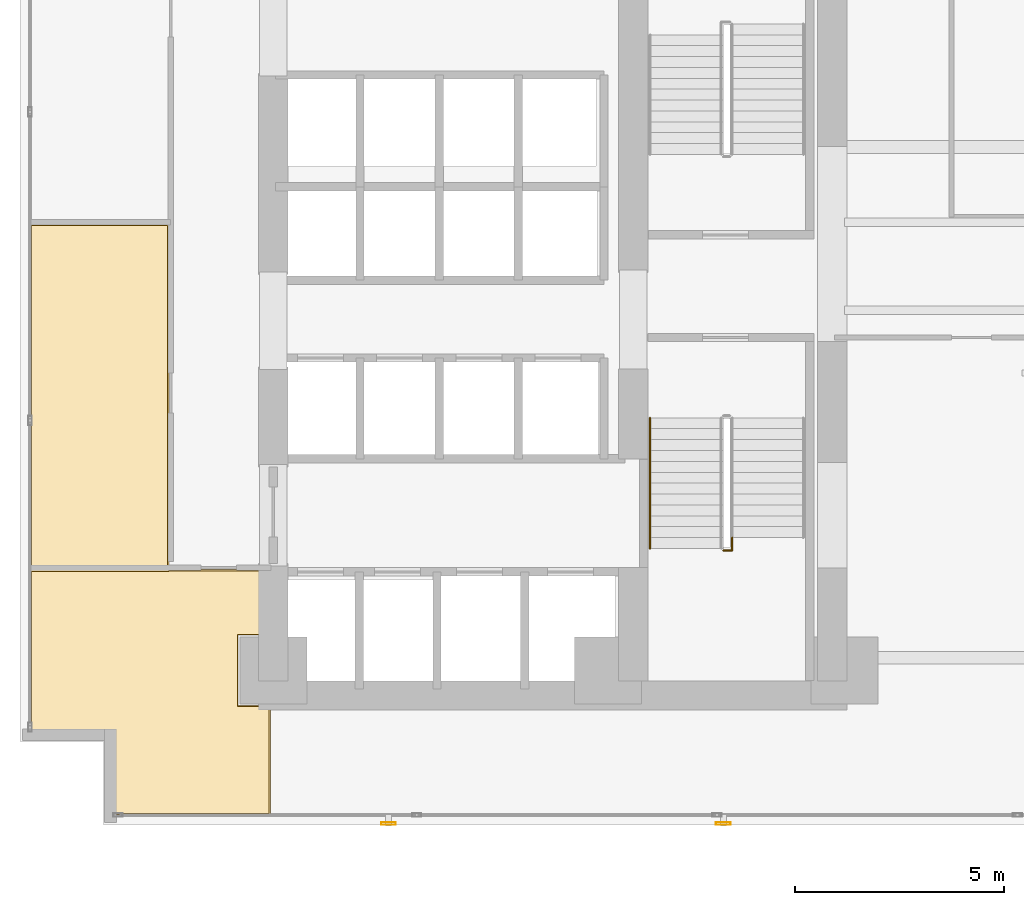
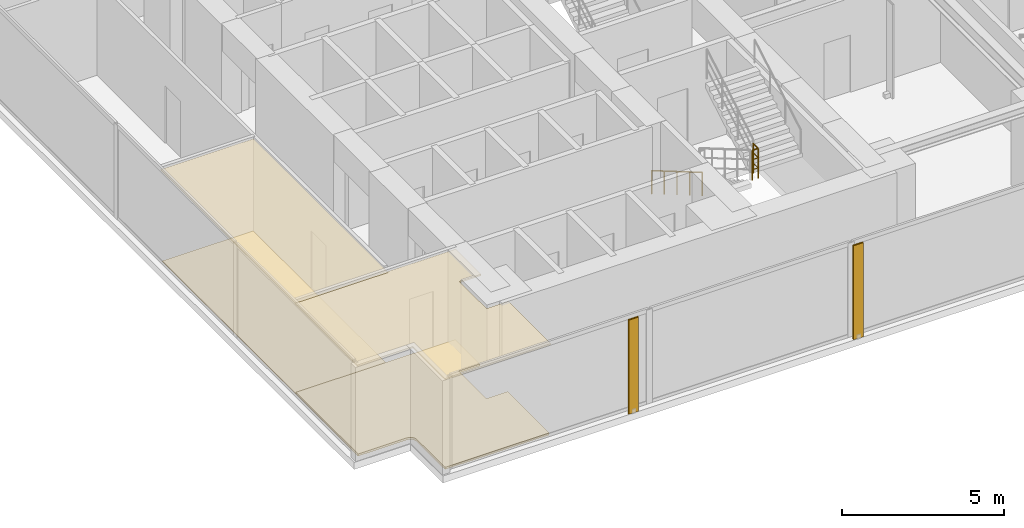
# One storey, part 26 of 30: 4 coverings, 2 railings, 2 shading devices.
"""IFC4 building model written with IfcOpenShell, lengths in metres."""

from ifc_helpers import new_model, si_unit, direction, frame, origin, origin_2d, place, context, subcontext, project, spatial, polyline, hollow_rectangle, circle, outline, extrude, material, layer, layer_set, material_profile, profile_set, type_object, element, save


model = new_model("IFC4")

# Units and contexts
model_context = context("Model", 3, precision=1e-05, world=origin(), true_north=direction((0.0, 1.0)))
body_context = subcontext(model_context, "Body", "Model", "MODEL_VIEW")
ifc_project = project(units=[si_unit("LENGTHUNIT", "METRE"), si_unit("AREAUNIT", "SQUARE_METRE"), si_unit("VOLUMEUNIT", "CUBIC_METRE"), si_unit("PLANEANGLEUNIT", "RADIAN"), si_unit("MASSUNIT", "GRAM", prefix="KILO")], contexts=[model_context])

# Site, building, storey
site_placement = place(None, origin())
site = spatial("IfcSite", under=ifc_project, at=site_placement, CompositionType="ELEMENT")
building_placement = place(site_placement, origin())
building = spatial("IfcBuilding", under=site, at=building_placement, Name="Kolvaren Waterfront Exchange", CompositionType="ELEMENT")
storey_placement = place(building_placement, frame((0.0, 0.0, 71.39990234375)))
storey = spatial("IfcBuildingStorey", under=building, at=storey_placement, Name="L18", CompositionType="ELEMENT", Elevation=71.39990234375)

# Coverings
ifc_material_1 = material(Name="Mineral fibre acoustic ceiling tile")
ifc_layer_1 = layer(ifc_material_1, 0.02490234375, Name="Mineral fibre acoustic ceiling tile")
ifc_layer_set_1 = layer_set([ifc_layer_1], Name="Mineral fibre acoustic ceiling tile")
covering_type_1 = type_object("IfcCoveringType", Name="ARC-CEIL-ACOUSTIC-25", PredefinedType="CEILING", material=ifc_layer_set_1)
covering_1_placement = place(storey_placement, frame((0.0, 0.0, 3.425048828125)))
element("IfcCovering", 1, at=covering_1_placement, inside=storey, type_object=covering_type_1, Name="L18 acoustic suspended ceiling 3", PredefinedType="CEILING", context=body_context, shape_type="SweptSolid", body=[
    extrude(outline(polyline([(1.64501953125, 7.2548828125), (4.955078125, 7.2548828125), (4.955078125, 15.554931640625), (1.64501953125, 15.554931640625), (1.64501953125, 7.2548828125)])), origin(), (0.0, 0.0, 1.0), 0.025146484375),
])
ifc_material_2 = material(Name="Perforated bronze acoustic ceiling panel", Category="aluminium")
ifc_layer_2 = layer(ifc_material_2, 0.054931640625, Name="Perforated bronze acoustic ceiling panel")
ifc_layer_set_2 = layer_set([ifc_layer_2], Name="Perforated bronze acoustic ceiling panel")
covering_type_2 = type_object("IfcCoveringType", Name="ARC-CEIL-BAFFLE-55", PredefinedType="CEILING", material=ifc_layer_set_2)
covering_2_placement = place(storey_placement, frame((0.0, 0.0, 3.39501953125)))
element("IfcCovering", 2, at=covering_2_placement, inside=storey, type_object=covering_type_2, Name="L18 acoustic suspended ceiling 2", PredefinedType="CEILING", context=body_context, shape_type="SweptSolid", body=[
    extrude(outline(polyline([(7.385009765625, 4.06005859375), (6.610107421875, 4.06005859375), (6.610107421875, 5.739990234375), (7.385009765625, 5.739990234375), (7.385009765625, 7.304931640625), (1.64501953125, 7.304931640625), (1.64501953125, 3.419921875), (3.6201171875, 3.419921875), (3.6201171875, 1.445068359375), (7.385009765625, 1.445068359375), (7.385009765625, 4.06005859375)])), origin(), (0.0, 0.0, 1.0), 0.05517578125),
])

# Shading devices
ifc_material_3 = material(Name="Anodised bronze aluminium 6063-T6", Category="aluminium")
ifc_material_profile = material_profile(ifc_material_3, hollow_rectangle(XDim=0.06005859375, YDim=0.35009765625, WallThickness=0.0048828125, at=origin_2d()), Name="BRZ-FIN-350x60x5")
ifc_profile_set = profile_set([ifc_material_profile], Name="Anodised bronze aluminium 6063-T6")
shading_device_type = type_object("IfcShadingDeviceType", Name="ARC-FIN-350", PredefinedType="USERDEFINED", material=ifc_profile_set)
for number, where, z_axis, x_axis, name in (
    (3, (10.199951171875, 1.239990234375, 0.0), (0.0, 0.0, 1.0), (0.0, -1.0, 0.0), "L18 anodised bronze solar shading fin FIN-L18-S1"),
    (4, (18.199951171875, 1.239990234375, 0.0), (0.0, 0.0, 1.0), (0.0, -1.0, 0.0), "L18 anodised bronze solar shading fin FIN-L18-S2"),
):
    element("IfcShadingDevice", number, at=place(storey_placement, frame(where, z_axis=z_axis, x_axis=x_axis)), inside=storey, type_object=shading_device_type, Name=name, ObjectType="SOLAR FIN", PredefinedType="USERDEFINED", context=body_context, shape_type="SweptSolid", body=[
        extrude(hollow_rectangle(XDim=0.06005859375, YDim=0.35009765625, WallThickness=0.0048828125, at=origin_2d()), origin(), (0.0, 0.0, 1.0), 3.5400390625),
    ])

# Coverings
ifc_material_4 = material(Name="Slip-resistant porcelain tile")
ifc_layer_3 = layer(ifc_material_4, 0.014892578125, Name="Slip-resistant porcelain tile")
ifc_layer_set_3 = layer_set([ifc_layer_3], Name="Slip-resistant porcelain tile")
covering_type_3 = type_object("IfcCoveringType", Name="ARC-FLR-PORC-15", PredefinedType="FLOORING", material=ifc_layer_set_3)
covering_3_placement = place(storey_placement, origin())
element("IfcCovering", 5, at=covering_3_placement, inside=storey, type_object=covering_type_3, Name="L18 floor finish 3", PredefinedType="FLOORING", context=body_context, shape_type="SweptSolid", body=[
    extrude(outline(polyline([(4.919921875, 15.52001953125), (1.679931640625, 15.52001953125), (1.679931640625, 7.2900390625), (4.919921875, 7.2900390625), (4.919921875, 15.52001953125)])), origin(), (0.0, 0.0, 1.0), 0.01513671875),
])
ifc_material_5 = material(Name="Raised access steel-cementitious floor panel", Category="steel")
ifc_layer_4 = layer(ifc_material_5, 0.080078125, Name="Raised access steel-cementitious floor panel")
ifc_layer_set_4 = layer_set([ifc_layer_4], Name="Raised access steel-cementitious floor panel")
covering_type_4 = type_object("IfcCoveringType", Name="ARC-FLR-RAISED-80", PredefinedType="FLOORING", material=ifc_layer_set_4)
covering_4_placement = place(storey_placement, origin())
element("IfcCovering", 6, at=covering_4_placement, inside=storey, type_object=covering_type_4, Name="L18 floor finish 2", PredefinedType="FLOORING", context=body_context, shape_type="SweptSolid", body=[
    extrude(outline(polyline([(7.35009765625, 7.27001953125), (1.679931640625, 7.27001953125), (1.679931640625, 3.43994140625), (3.39990234375, 3.43994140625), (3.423583984375, 3.438720703125), (3.44677734375, 3.435302734375), (3.4697265625, 3.4296875), (3.49169921875, 3.421630859375), (3.51318359375, 3.41162109375), (3.533203125, 3.399658203125), (3.55224609375, 3.385498046875), (3.569580078125, 3.36962890625), (3.58544921875, 3.352294921875), (3.599609375, 3.333251953125), (3.61181640625, 3.31298828125), (3.62158203125, 3.291748046875), (3.629638671875, 3.269775390625), (3.635498046875, 3.246826171875), (3.638916015625, 3.223388671875), (3.639892578125, 3.199951171875), (3.639892578125, 1.47998046875), (7.35009765625, 1.47998046875), (7.35009765625, 4.0400390625), (6.590087890625, 4.0400390625), (6.590087890625, 5.760009765625), (7.35009765625, 5.760009765625), (7.35009765625, 7.27001953125)])), origin(), (0.0, 0.0, 1.0), 0.080078125),
])

# Railings
ifc_material_6 = material(Name="Stainless steel 316", Category="steel")
railing_type_1 = type_object("IfcRailingType", Name="ARC-GUARD-STAIR", PredefinedType="GUARDRAIL", material=ifc_material_6)
railing_1_placement = place(storey_placement, frame((18.199951171875, 7.760009765625, 1.97607421875)))
element("IfcRailing", 7, at=railing_1_placement, inside=storey, type_object=railing_type_1, Name="L18 ST1 stair guard 2", PredefinedType="GUARDRAIL", context=body_context, shape_type="SweptSolid", body=[
    extrude(circle(Radius=0.02392578125, at=origin_2d()), frame((0.0, 0.0, 1.1259765625), z_axis=(1.0, 0.0, 0.0), x_axis=(0.0, 1.0, 0.0)), (0.0, 0.0, 1.0), 0.2099609375),
    extrude(circle(Radius=0.01611328125, at=origin_2d()), frame((0.0, 0.0, 0.390869140625), z_axis=(1.0, 0.0, 0.0), x_axis=(0.0, 1.0, 0.0)), (0.0, 0.0, 1.0), 0.2099609375),
    extrude(circle(Radius=0.01611328125, at=origin_2d()), frame((0.0, 0.0, 0.7705078125), z_axis=(1.0, 0.0, 0.0), x_axis=(0.0, 1.0, 0.0)), (0.0, 0.0, 1.0), 0.2099609375),
    extrude(circle(Radius=0.02392578125, at=origin_2d()), frame((0.2099609375, 0.0, 1.1259765625), z_axis=(0.0, 1.0, 0.0), x_axis=(-1.0, 0.0, 0.0)), (0.0, 0.0, 1.0), 0.31005859375),
    extrude(circle(Radius=0.01611328125, at=origin_2d()), frame((0.2099609375, 0.0, 0.390869140625), z_axis=(0.0, 1.0, 0.0), x_axis=(-1.0, 0.0, 0.0)), (0.0, 0.0, 1.0), 0.31005859375),
    extrude(circle(Radius=0.01611328125, at=origin_2d()), frame((0.2099609375, 0.0, 0.7705078125), z_axis=(0.0, 1.0, 0.0), x_axis=(-1.0, 0.0, 0.0)), (0.0, 0.0, 1.0), 0.31005859375),
    extrude(circle(Radius=0.02099609375, at=origin_2d()), origin(), (0.0, 0.0, 1.0), 1.101806640625),
    extrude(circle(Radius=0.02099609375, at=origin_2d()), frame((0.2099609375, 0.0, 0.0)), (0.0, 0.0, 1.0), 1.101806640625),
    extrude(circle(Radius=0.02099609375, at=origin_2d()), frame((0.2099609375, 0.31005859375, 0.0)), (0.0, 0.0, 1.0), 1.101806640625),
])
railing_type_2 = type_object("IfcRailingType", Name="ARC-HANDRAIL-900", PredefinedType="HANDRAIL", material=ifc_material_6)
railing_2_placement = place(storey_placement, frame((16.449951171875, 10.929931640625, 0.152099609375)))
element("IfcRailing", 8, at=railing_2_placement, inside=storey, type_object=railing_type_2, Name="L18 ST1 stair handrail 1", PredefinedType="HANDRAIL", context=body_context, shape_type="SweptSolid", body=[
    extrude(circle(Radius=0.02392578125, at=origin_2d()), frame((0.0, 0.0, 0.8759765625), z_axis=(0.0, -0.86329090724, 0.504706656858), x_axis=(1.0, 0.0, 0.0)), (0.0, 0.0, 1.0), 3.614013671875),
    extrude(circle(Radius=0.02099609375, at=origin_2d()), origin(), (0.0, 0.0, 1.0), 0.851806640625),
    extrude(circle(Radius=0.02099609375, at=origin_2d()), frame((0.0, -0.780029296875, 0.4560546875)), (0.0, 0.0, 1.0), 0.851806640625),
    extrude(circle(Radius=0.02099609375, at=origin_2d()), frame((0.0, -1.56005859375, 0.912109375)), (0.0, 0.0, 1.0), 0.851806640625),
    extrude(circle(Radius=0.02099609375, at=origin_2d()), frame((0.0, -2.33984375, 1.367919921875)), (0.0, 0.0, 1.0), 0.851806640625),
    extrude(circle(Radius=0.02099609375, at=origin_2d()), frame((0.0, -3.119873046875, 1.823974609375)), (0.0, 0.0, 1.0), 0.851806640625),
])

save(model, "model.ifc")
